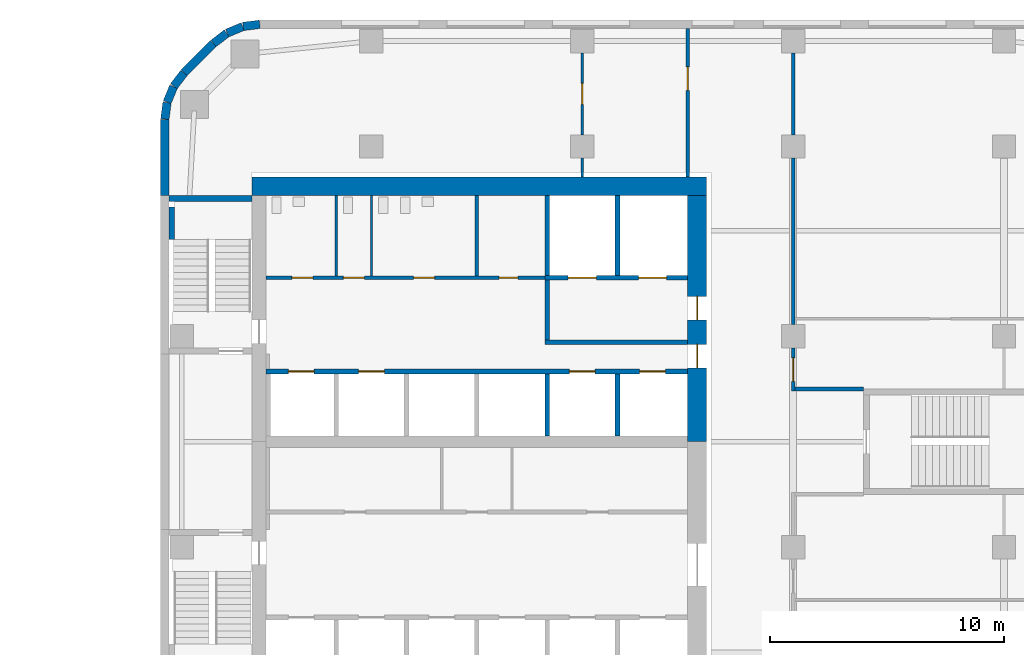
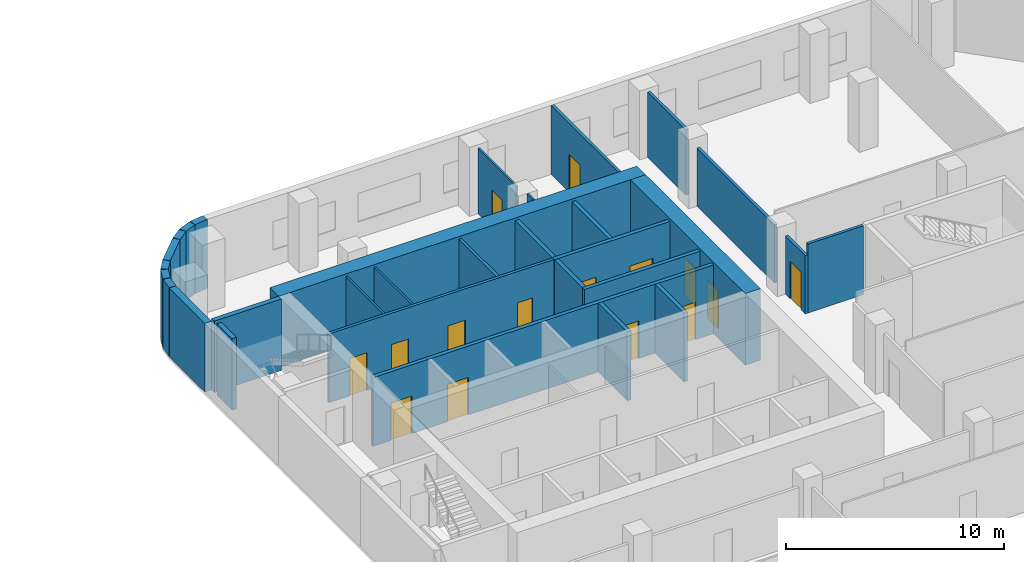
# One storey, part 10 of 15: 31 walls, 15 doors, 15 openings.
"""IFC4 building model written with IfcOpenShell, lengths in metres."""

from ifc_helpers import new_model, si_unit, direction, frame, frame_2d, origin, place, context, subcontext, project, spatial, rectangle, extrude, material, layer, layer_set, type_object, element, fill, save


model = new_model("IFC4")

# Units and contexts
model_context = context("Model", 3, precision=1e-05, world=origin(), true_north=direction((0.0, 1.0)))
body_context = subcontext(model_context, "Body", "Model", "MODEL_VIEW")
ifc_project = project(units=[si_unit("LENGTHUNIT", "METRE"), si_unit("AREAUNIT", "SQUARE_METRE"), si_unit("VOLUMEUNIT", "CUBIC_METRE"), si_unit("PLANEANGLEUNIT", "RADIAN"), si_unit("MASSUNIT", "GRAM", prefix="KILO")], contexts=[model_context])

# Site, building, storey
site_placement = place(None, origin())
site = spatial("IfcSite", under=ifc_project, at=site_placement, CompositionType="ELEMENT")
building_placement = place(site_placement, origin())
building = spatial("IfcBuilding", under=site, at=building_placement, Name="Cinnabar Reach Civic Tower", CompositionType="ELEMENT")
storey_placement = place(building_placement, frame((0.0, 0.0, 100.0)))
storey = spatial("IfcBuildingStorey", under=building, at=storey_placement, Name="L23", CompositionType="ELEMENT", Elevation=100.0)

# Walls
ifc_material_1 = material(Name="Facing brick with insulated backing", Category="masonry")
ifc_layer_1 = layer(ifc_material_1, 0.36)
ifc_layer_set_1 = layer_set([ifc_layer_1], Name="Brick corner wall")
wall_type_1 = type_object("IfcWallType", Name="Brick corner wall", PredefinedType="STANDARD", material=ifc_layer_set_1)
for number, where, z_axis, x_axis, name in (
    (1, (4.2314, 49.317, 0.0), (0.0, 0.0, 1.0), (-0.99144092581, -0.13055608231, 0.0), "Brick corner wall"),
    (2, (3.5027, 49.2181, 0.0), (0.0, 0.0, 1.0), (-0.923871547278, -0.382702709855, 0.0), "Brick corner wall"),
):
    element("IfcWall", number, at=place(storey_placement, frame(where, z_axis=z_axis, x_axis=x_axis)), inside=storey, type_object=wall_type_1, Name=name, PredefinedType="STANDARD", context=body_context, shape_type="SweptSolid", body=[
        extrude(rectangle(XDim=0.7131, YDim=0.36, at=frame_2d((0.3565, 0.0))), origin(), (0.0, 0.0, 1.0), 3.85),
    ])
for number, where, z_axis, x_axis, name in (
    (3, (2.8245, 48.934, 0.0), (0.0, 0.0, 1.0), (-0.793321924995, -0.608802368033, 0.0), "Brick corner wall"),
    (4, (1.0002, 47.2413, 0.0), (0.0, 0.0, 1.0), (-0.608802368033, -0.793321924995, 0.0), "Brick corner wall"),
):
    element("IfcWall", number, at=place(storey_placement, frame(where, z_axis=z_axis, x_axis=x_axis)), inside=storey, type_object=wall_type_1, Name=name, PredefinedType="STANDARD", context=body_context, shape_type="SweptSolid", body=[
        extrude(rectangle(XDim=0.7132, YDim=0.36, at=frame_2d((0.3566, 0.0))), origin(), (0.0, 0.0, 1.0), 3.85),
    ])
for number, where, z_axis, x_axis, name in (
    (5, (0.5548, 46.6561, 0.0), (0.0, 0.0, 1.0), (-0.382702709855, -0.923871547278, 0.0), "Brick corner wall"),
    (6, (0.2761, 45.9756, 0.0), (0.0, 0.0, 1.0), (-0.13055608231, -0.99144092581, 0.0), "Brick corner wall"),
):
    element("IfcWall", number, at=place(storey_placement, frame(where, z_axis=z_axis, x_axis=x_axis)), inside=storey, type_object=wall_type_1, Name=name, PredefinedType="STANDARD", context=body_context, shape_type="SweptSolid", body=[
        extrude(rectangle(XDim=0.7131, YDim=0.36, at=frame_2d((0.3565, 0.0))), origin(), (0.0, 0.0, 1.0), 3.85),
    ])
ifc_layer_2 = layer(ifc_material_1, 0.36)
ifc_layer_set_2 = layer_set([ifc_layer_2], Name="Brick pier and spandrel wall")
wall_type_2 = type_object("IfcWallType", Name="Brick pier and spandrel wall", PredefinedType="STANDARD", material=ifc_layer_set_2)
wall_1_placement = place(storey_placement, frame((2.2486, 48.494, 0.0), z_axis=(0.0, 0.0, 1.0), x_axis=(-0.707106781187, -0.707106781187, 0.0)))
element("IfcWall", 7, at=wall_1_placement, inside=storey, type_object=wall_type_2, Name="Brick facade wall", PredefinedType="STANDARD", context=body_context, shape_type="SweptSolid", body=[
    extrude(rectangle(XDim=1.7573, YDim=0.36, at=frame_2d((0.8787, 0.0))), origin(), (0.0, 0.0, 1.0), 3.85),
])
wall_2_placement = place(storey_placement, frame((0.18, 45.2574, 0.0), z_axis=(0.0, 0.0, 1.0), x_axis=(0.0, -1.0, 0.0)))
element("IfcWall", 8, at=wall_2_placement, inside=storey, type_object=wall_type_2, Name="Brick facade wall", PredefinedType="STANDARD", context=body_context, shape_type="SweptSolid", body=[
    extrude(rectangle(XDim=3.2574, YDim=0.36, at=frame_2d((1.6287, 0.0))), origin(), (0.0, 0.0, 1.0), 3.85),
])
ifc_material_2 = material(Name="Concrete C70", Category="concrete")
ifc_layer_3 = layer(ifc_material_2, 0.8)
ifc_layer_set_3 = layer_set([ifc_layer_3], Name="Core wall 800 EI 180")
wall_type_3 = type_object("IfcWallType", Name="Core wall 800 EI 180", PredefinedType="SOLIDWALL", material=ifc_layer_set_3)
wall_3_placement = place(storey_placement, frame((23.3, 42.4, 0.0), z_axis=(0.0, 0.0, 1.0), x_axis=(-1.0, 0.0, 0.0)))
element("IfcWall", 9, at=wall_3_placement, inside=storey, type_object=wall_type_3, Name="Core wall T1 L23 N", PredefinedType="SOLIDWALL", context=body_context, shape_type="SweptSolid", body=[
    extrude(rectangle(XDim=19.4, YDim=0.8, at=frame_2d((9.7, 0.0))), origin(), (0.0, 0.0, 1.0), 4.0),
])

# Wall, openings, doors
wall_4_placement = place(storey_placement, frame((22.9, 31.5, 0.0), z_axis=(0.0, 0.0, 1.0), x_axis=(0.0, 1.0, 0.0)))
wall_4 = element("IfcWall", 10, at=wall_4_placement, inside=storey, type_object=wall_type_3, Name="Core wall T1 L23 E2", PredefinedType="SOLIDWALL", context=body_context, shape_type="SweptSolid", body=[
    extrude(rectangle(XDim=10.5, YDim=0.8, at=frame_2d((5.25, 0.0))), origin(), (0.0, 0.0, 1.0), 4.0),
])
opening_1_placement = place(wall_4_placement, frame((3.15, 0.0, 0.0)))
opening_1 = element("IfcOpeningElement", 11, at=opening_1_placement, cuts=wall_4, Name="Opening D3934", PredefinedType="OPENING", context=body_context, shape_type="SweptSolid", body=[
    extrude(rectangle(XDim=1.0, YDim=2.1, at=frame_2d((0.5, 1.05))), frame((0.0, 0.41, 0.0), z_axis=(0.0, -1.0, 0.0), x_axis=(1.0, 0.0, 0.0)), (0.0, 0.0, 1.0), 0.82),
])
opening_2_placement = place(wall_4_placement, frame((5.2, 0.0, 0.0)))
opening_2 = element("IfcOpeningElement", 12, at=opening_2_placement, cuts=wall_4, Name="Opening D3935", PredefinedType="OPENING", context=body_context, shape_type="SweptSolid", body=[
    extrude(rectangle(XDim=1.0, YDim=2.1, at=frame_2d((0.5, 1.05))), frame((0.0, 0.41, 0.0), z_axis=(0.0, -1.0, 0.0), x_axis=(1.0, 0.0, 0.0)), (0.0, 0.0, 1.0), 0.82),
])
ifc_material_3 = material(Name="Timber door leaf in steel frame", Category="steel")
door_type_1 = type_object("IfcDoorType", Name="Firefighting lobby door 1000 x 2100 T1", OperationType="SINGLE_SWING_LEFT", PredefinedType="DOOR", material=ifc_material_3)
door_1_placement = place(opening_2_placement, origin())
door_1 = element("IfcDoor", 13, at=door_1_placement, inside=storey, type_object=door_type_1, Name="Door D3935", OperationType="SINGLE_SWING_LEFT", OverallHeight=2.1, OverallWidth=1.0, PredefinedType="DOOR", context=body_context, shape_type="SweptSolid", body=[
    extrude(rectangle(XDim=1.0, YDim=2.1, at=frame_2d((0.5, 1.05))), frame((0.0, 0.025, 0.0), z_axis=(0.0, -1.0, 0.0), x_axis=(1.0, 0.0, 0.0)), (0.0, 0.0, 1.0), 0.05),
])
fill(opening_2, door_1)
door_type_2 = type_object("IfcDoorType", Name="Single swing door 1000 x 2100 T1", OperationType="SINGLE_SWING_LEFT", PredefinedType="DOOR", material=ifc_material_3)
door_2_placement = place(opening_1_placement, origin())
door_2 = element("IfcDoor", 14, at=door_2_placement, inside=storey, type_object=door_type_2, Name="Door D3934", OperationType="SINGLE_SWING_RIGHT", OverallHeight=2.1, OverallWidth=1.0, PredefinedType="DOOR", context=body_context, shape_type="SweptSolid", body=[
    extrude(rectangle(XDim=1.0, YDim=2.1, at=frame_2d((0.5, 1.05))), frame((0.0, 0.025, 0.0), z_axis=(0.0, -1.0, 0.0), x_axis=(1.0, 0.0, 0.0)), (0.0, 0.0, 1.0), 0.05),
])
fill(opening_1, door_2)

# Wall, opening, door
ifc_material_4 = material(Name="Gypsum board on steel studs, double layer", Category="steel")
ifc_layer_4 = layer(ifc_material_4, 0.15)
ifc_layer_set_4 = layer_set([ifc_layer_4], Name="Corridor wall 150 T1")
wall_type_4 = type_object("IfcWallType", Name="Corridor wall 150 T1", PredefinedType="PARTITIONING", material=ifc_layer_set_4)
wall_5_placement = place(storey_placement, frame((27.0, 33.675, 0.0), z_axis=(0.0, 0.0, 1.0), x_axis=(0.0, 1.0, 0.0)))
wall_5 = element("IfcWall", 15, at=wall_5_placement, inside=storey, type_object=wall_type_4, Name="Corridor wall 27", PredefinedType="PARTITIONING", context=body_context, shape_type="SweptSolid", body=[
    extrude(rectangle(XDim=1.825, YDim=0.15, at=frame_2d((0.9125, 0.0))), origin(), (0.0, 0.0, 1.0), 3.256),
])
opening_3_placement = place(wall_5_placement, frame((0.4, 0.0, 0.0)))
opening_3 = element("IfcOpeningElement", 16, at=opening_3_placement, cuts=wall_5, Name="Opening D3944", PredefinedType="OPENING", context=body_context, shape_type="SweptSolid", body=[
    extrude(rectangle(XDim=1.0, YDim=2.1, at=frame_2d((0.5, 1.05))), frame((0.0, 0.085, 0.0), z_axis=(0.0, -1.0, 0.0), x_axis=(1.0, 0.0, 0.0)), (0.0, 0.0, 1.0), 0.17),
])
door_type_3 = type_object("IfcDoorType", Name="Tenancy entrance door 1000 x 2100 T1", OperationType="SINGLE_SWING_LEFT", PredefinedType="DOOR", material=ifc_material_3)
door_3_placement = place(opening_3_placement, frame((1.0, 0.0, 0.0), z_axis=(0.0, 0.0, 1.0), x_axis=(-1.0, 0.0, 0.0)))
door_3 = element("IfcDoor", 17, at=door_3_placement, inside=storey, type_object=door_type_3, Name="Door D3944", OperationType="SINGLE_SWING_RIGHT", OverallHeight=2.1, OverallWidth=1.0, PredefinedType="DOOR", context=body_context, shape_type="SweptSolid", body=[
    extrude(rectangle(XDim=1.0, YDim=2.1, at=frame_2d((0.5, 1.05))), frame((0.0, 0.025, 0.0), z_axis=(0.0, -1.0, 0.0), x_axis=(1.0, 0.0, 0.0)), (0.0, 0.0, 1.0), 0.05),
])
fill(opening_3, door_3)

# Walls
wall_6_placement = place(storey_placement, frame((27.0, 36.5, 0.0), z_axis=(0.0, 0.0, 1.0), x_axis=(0.0, 1.0, 0.0)))
element("IfcWall", 18, at=wall_6_placement, inside=storey, type_object=wall_type_4, Name="Corridor wall 28", PredefinedType="PARTITIONING", context=body_context, shape_type="SweptSolid", body=[
    extrude(rectangle(XDim=7.1, YDim=0.15, at=frame_2d((3.55, 0.0))), origin(), (0.0, 0.0, 1.0), 3.256),
])
wall_7_placement = place(storey_placement, frame((27.0, 44.6, 0.0), z_axis=(0.0, 0.0, 1.0), x_axis=(0.0, 1.0, 0.0)))
element("IfcWall", 19, at=wall_7_placement, inside=storey, type_object=wall_type_4, Name="Corridor wall 29", PredefinedType="PARTITIONING", context=body_context, shape_type="SweptSolid", body=[
    extrude(rectangle(XDim=3.5, YDim=0.15, at=frame_2d((1.75, 0.0))), origin(), (0.0, 0.0, 1.0), 3.652),
])

# Wall, openings, doors
wall_8_placement = place(storey_placement, frame((4.5, 38.5, 0.0), z_axis=(0.0, 0.0, 1.0), x_axis=(1.0, 0.0, 0.0)))
wall_8 = element("IfcWall", 20, at=wall_8_placement, inside=storey, type_object=wall_type_4, Name="Corridor wall 30", PredefinedType="PARTITIONING", context=body_context, shape_type="SweptSolid", body=[
    extrude(rectangle(XDim=11.9, YDim=0.15, at=frame_2d((5.95, 0.0))), origin(), (0.0, 0.0, 1.0), 3.85),
])
opening_4_placement = place(wall_8_placement, frame((1.1, 0.0, 0.0)))
opening_4 = element("IfcOpeningElement", 21, at=opening_4_placement, cuts=wall_8, Name="Opening D3940", PredefinedType="OPENING", context=body_context, shape_type="SweptSolid", body=[
    extrude(rectangle(XDim=0.9, YDim=2.1, at=frame_2d((0.45, 1.05))), frame((0.0, 0.085, 0.0), z_axis=(0.0, -1.0, 0.0), x_axis=(1.0, 0.0, 0.0)), (0.0, 0.0, 1.0), 0.17),
])
opening_5_placement = place(wall_8_placement, frame((3.3, 0.0, 0.0)))
opening_5 = element("IfcOpeningElement", 22, at=opening_5_placement, cuts=wall_8, Name="Opening D3941", PredefinedType="OPENING", context=body_context, shape_type="SweptSolid", body=[
    extrude(rectangle(XDim=0.9, YDim=2.1, at=frame_2d((0.45, 1.05))), frame((0.0, 0.085, 0.0), z_axis=(0.0, -1.0, 0.0), x_axis=(1.0, 0.0, 0.0)), (0.0, 0.0, 1.0), 0.17),
])
opening_6_placement = place(wall_8_placement, frame((6.3, 0.0, 0.0)))
opening_6 = element("IfcOpeningElement", 23, at=opening_6_placement, cuts=wall_8, Name="Opening D3942", PredefinedType="OPENING", context=body_context, shape_type="SweptSolid", body=[
    extrude(rectangle(XDim=0.9, YDim=2.1, at=frame_2d((0.45, 1.05))), frame((0.0, 0.085, 0.0), z_axis=(0.0, -1.0, 0.0), x_axis=(1.0, 0.0, 0.0)), (0.0, 0.0, 1.0), 0.17),
])
opening_7_placement = place(wall_8_placement, frame((9.95, 0.0, 0.0)))
opening_7 = element("IfcOpeningElement", 24, at=opening_7_placement, cuts=wall_8, Name="Opening D3943", PredefinedType="OPENING", context=body_context, shape_type="SweptSolid", body=[
    extrude(rectangle(XDim=0.8, YDim=2.1, at=frame_2d((0.4, 1.05))), frame((0.0, 0.085, 0.0), z_axis=(0.0, -1.0, 0.0), x_axis=(1.0, 0.0, 0.0)), (0.0, 0.0, 1.0), 0.17),
])
door_type_4 = type_object("IfcDoorType", Name="Riser access door 800 x 2100 T1", OperationType="SINGLE_SWING_LEFT", PredefinedType="DOOR", material=ifc_material_3)
door_4_placement = place(opening_7_placement, origin())
door_4 = element("IfcDoor", 25, at=door_4_placement, inside=storey, type_object=door_type_4, Name="Door D3943", OperationType="SINGLE_SWING_LEFT", OverallHeight=2.1, OverallWidth=0.8, PredefinedType="DOOR", context=body_context, shape_type="SweptSolid", body=[
    extrude(rectangle(XDim=0.8, YDim=2.1, at=frame_2d((0.4, 1.05))), frame((0.0, 0.025, 0.0), z_axis=(0.0, -1.0, 0.0), x_axis=(1.0, 0.0, 0.0)), (0.0, 0.0, 1.0), 0.05),
])
fill(opening_7, door_4)
door_type_5 = type_object("IfcDoorType", Name="Single swing door 900 x 2100 corridor T1", OperationType="SINGLE_SWING_LEFT", PredefinedType="DOOR", material=ifc_material_3)
door_5_placement = place(opening_4_placement, origin())
door_5 = element("IfcDoor", 26, at=door_5_placement, inside=storey, type_object=door_type_5, Name="Door D3940", OperationType="SINGLE_SWING_LEFT", OverallHeight=2.1, OverallWidth=0.9, PredefinedType="DOOR", context=body_context, shape_type="SweptSolid", body=[
    extrude(rectangle(XDim=0.9, YDim=2.1, at=frame_2d((0.45, 1.05))), frame((0.0, 0.025, 0.0), z_axis=(0.0, -1.0, 0.0), x_axis=(1.0, 0.0, 0.0)), (0.0, 0.0, 1.0), 0.05),
])
fill(opening_4, door_5)
door_6_placement = place(opening_5_placement, origin())
door_6 = element("IfcDoor", 27, at=door_6_placement, inside=storey, type_object=door_type_5, Name="Door D3941", OperationType="SINGLE_SWING_LEFT", OverallHeight=2.1, OverallWidth=0.9, PredefinedType="DOOR", context=body_context, shape_type="SweptSolid", body=[
    extrude(rectangle(XDim=0.9, YDim=2.1, at=frame_2d((0.45, 1.05))), frame((0.0, 0.025, 0.0), z_axis=(0.0, -1.0, 0.0), x_axis=(1.0, 0.0, 0.0)), (0.0, 0.0, 1.0), 0.05),
])
fill(opening_5, door_6)
door_7_placement = place(opening_6_placement, origin())
door_7 = element("IfcDoor", 28, at=door_7_placement, inside=storey, type_object=door_type_5, Name="Door D3942", OperationType="SINGLE_SWING_RIGHT", OverallHeight=2.1, OverallWidth=0.9, PredefinedType="DOOR", context=body_context, shape_type="SweptSolid", body=[
    extrude(rectangle(XDim=0.9, YDim=2.1, at=frame_2d((0.45, 1.05))), frame((0.0, 0.025, 0.0), z_axis=(0.0, -1.0, 0.0), x_axis=(1.0, 0.0, 0.0)), (0.0, 0.0, 1.0), 0.05),
])
fill(opening_6, door_7)

# Wall, opening, door
wall_9_placement = place(storey_placement, frame((22.5, 42.8, 0.0), z_axis=(0.0, 0.0, 1.0), x_axis=(0.0, 1.0, 0.0)))
wall_9 = element("IfcWall", 29, at=wall_9_placement, inside=storey, type_object=wall_type_4, Name="Corridor wall 33", PredefinedType="PARTITIONING", context=body_context, shape_type="SweptSolid", body=[
    extrude(rectangle(XDim=6.34, YDim=0.15, at=frame_2d((3.17, 0.0))), origin(), (0.0, 0.0, 1.0), 3.85),
])
opening_8_placement = place(wall_9_placement, frame((3.7, 0.0, 0.0)))
opening_8 = element("IfcOpeningElement", 30, at=opening_8_placement, cuts=wall_9, Name="Opening D3959", PredefinedType="OPENING", context=body_context, shape_type="SweptSolid", body=[
    extrude(rectangle(XDim=1.0, YDim=2.1, at=frame_2d((0.5, 1.05))), frame((0.0, 0.085, 0.0), z_axis=(0.0, -1.0, 0.0), x_axis=(1.0, 0.0, 0.0)), (0.0, 0.0, 1.0), 0.17),
])
door_8_placement = place(opening_8_placement, origin())
door_8 = element("IfcDoor", 31, at=door_8_placement, inside=storey, type_object=door_type_3, Name="Door D3959", OperationType="SINGLE_SWING_LEFT", OverallHeight=2.1, OverallWidth=1.0, PredefinedType="DOOR", context=body_context, shape_type="SweptSolid", body=[
    extrude(rectangle(XDim=1.0, YDim=2.1, at=frame_2d((0.5, 1.05))), frame((0.0, 0.025, 0.0), z_axis=(0.0, -1.0, 0.0), x_axis=(1.0, 0.0, 0.0)), (0.0, 0.0, 1.0), 0.05),
])
fill(opening_8, door_8)

# Wall
wall_10_placement = place(storey_placement, frame((27.075, 33.75, 0.0), z_axis=(0.0, 0.0, 1.0), x_axis=(1.0, 0.0, 0.0)))
element("IfcWall", 32, at=wall_10_placement, inside=storey, type_object=wall_type_4, Name="Corridor wall 37", PredefinedType="PARTITIONING", context=body_context, shape_type="SweptSolid", body=[
    extrude(rectangle(XDim=2.925, YDim=0.15, at=frame_2d((1.4625, 0.0))), origin(), (0.0, 0.0, 1.0), 3.85),
])

# Wall, openings, doors
ifc_material_5 = material(Name="Blockwork", Category="masonry")
ifc_layer_5 = layer(ifc_material_5, 0.2)
ifc_layer_set_5 = layer_set([ifc_layer_5], Name="Lift shaft wall 200 T1")
wall_type_5 = type_object("IfcWallType", Name="Lift shaft wall 200 T1", PredefinedType="PARTITIONING", material=ifc_layer_set_5)
wall_11_placement = place(storey_placement, frame((4.5, 34.5, 0.0), z_axis=(0.0, 0.0, 1.0), x_axis=(1.0, 0.0, 0.0)))
wall_11 = element("IfcWall", 33, at=wall_11_placement, inside=storey, type_object=wall_type_5, Name="Lift shaft wall 5", PredefinedType="PARTITIONING", context=body_context, shape_type="SweptSolid", body=[
    extrude(rectangle(XDim=18.0, YDim=0.2, at=frame_2d((9.0, 0.0))), origin(), (0.0, 0.0, 1.0), 3.85),
])
opening_9_placement = place(wall_11_placement, frame((0.95, 0.0, 0.0)))
opening_9 = element("IfcOpeningElement", 34, at=opening_9_placement, cuts=wall_11, Name="Opening D3927", PredefinedType="OPENING", context=body_context, shape_type="SweptSolid", body=[
    extrude(rectangle(XDim=1.1, YDim=2.1, at=frame_2d((0.55, 1.05))), frame((0.0, 0.11, 0.0), z_axis=(0.0, -1.0, 0.0), x_axis=(1.0, 0.0, 0.0)), (0.0, 0.0, 1.0), 0.22),
])
opening_10_placement = place(wall_11_placement, frame((3.95, 0.0, 0.0)))
opening_10 = element("IfcOpeningElement", 35, at=opening_10_placement, cuts=wall_11, Name="Opening D3928", PredefinedType="OPENING", context=body_context, shape_type="SweptSolid", body=[
    extrude(rectangle(XDim=1.1, YDim=2.1, at=frame_2d((0.55, 1.05))), frame((0.0, 0.11, 0.0), z_axis=(0.0, -1.0, 0.0), x_axis=(1.0, 0.0, 0.0)), (0.0, 0.0, 1.0), 0.22),
])
opening_11_placement = place(wall_11_placement, frame((12.95, 0.0, 0.0)))
opening_11 = element("IfcOpeningElement", 36, at=opening_11_placement, cuts=wall_11, Name="Opening D3929", PredefinedType="OPENING", context=body_context, shape_type="SweptSolid", body=[
    extrude(rectangle(XDim=1.1, YDim=2.1, at=frame_2d((0.55, 1.05))), frame((0.0, 0.11, 0.0), z_axis=(0.0, -1.0, 0.0), x_axis=(1.0, 0.0, 0.0)), (0.0, 0.0, 1.0), 0.22),
])
opening_12_placement = place(wall_11_placement, frame((15.95, 0.0, 0.0)))
opening_12 = element("IfcOpeningElement", 37, at=opening_12_placement, cuts=wall_11, Name="Opening D3930", PredefinedType="OPENING", context=body_context, shape_type="SweptSolid", body=[
    extrude(rectangle(XDim=1.1, YDim=2.1, at=frame_2d((0.55, 1.05))), frame((0.0, 0.11, 0.0), z_axis=(0.0, -1.0, 0.0), x_axis=(1.0, 0.0, 0.0)), (0.0, 0.0, 1.0), 0.22),
])
ifc_material_6 = material(Name="Stainless steel sliding door", Category="steel")
door_type_6 = type_object("IfcDoorType", Name="Lift landing door 1100 x 2100 T1", OperationType="SLIDING_TO_LEFT", PredefinedType="DOOR", material=ifc_material_6)
door_9_placement = place(opening_9_placement, origin())
door_9 = element("IfcDoor", 38, at=door_9_placement, inside=storey, type_object=door_type_6, Name="Lift landing door SH1 L23", OperationType="SLIDING_TO_LEFT", OverallHeight=2.1, OverallWidth=1.1, PredefinedType="DOOR", context=body_context, shape_type="SweptSolid", body=[
    extrude(rectangle(XDim=1.1, YDim=2.1, at=frame_2d((0.55, 1.05))), frame((0.0, 0.025, 0.0), z_axis=(0.0, -1.0, 0.0), x_axis=(1.0, 0.0, 0.0)), (0.0, 0.0, 1.0), 0.05),
])
fill(opening_9, door_9)
door_10_placement = place(opening_10_placement, origin())
door_10 = element("IfcDoor", 39, at=door_10_placement, inside=storey, type_object=door_type_6, Name="Lift landing door SH2 L23", OperationType="SLIDING_TO_LEFT", OverallHeight=2.1, OverallWidth=1.1, PredefinedType="DOOR", context=body_context, shape_type="SweptSolid", body=[
    extrude(rectangle(XDim=1.1, YDim=2.1, at=frame_2d((0.55, 1.05))), frame((0.0, 0.025, 0.0), z_axis=(0.0, -1.0, 0.0), x_axis=(1.0, 0.0, 0.0)), (0.0, 0.0, 1.0), 0.05),
])
fill(opening_10, door_10)
door_11_placement = place(opening_11_placement, origin())
door_11 = element("IfcDoor", 40, at=door_11_placement, inside=storey, type_object=door_type_6, Name="Lift landing door SV1 L23", OperationType="SLIDING_TO_LEFT", OverallHeight=2.1, OverallWidth=1.1, PredefinedType="DOOR", context=body_context, shape_type="SweptSolid", body=[
    extrude(rectangle(XDim=1.1, YDim=2.1, at=frame_2d((0.55, 1.05))), frame((0.0, 0.025, 0.0), z_axis=(0.0, -1.0, 0.0), x_axis=(1.0, 0.0, 0.0)), (0.0, 0.0, 1.0), 0.05),
])
fill(opening_11, door_11)
door_12_placement = place(opening_12_placement, origin())
door_12 = element("IfcDoor", 41, at=door_12_placement, inside=storey, type_object=door_type_6, Name="Lift landing door SV2 L23", OperationType="SLIDING_TO_LEFT", OverallHeight=2.1, OverallWidth=1.1, PredefinedType="DOOR", context=body_context, shape_type="SweptSolid", body=[
    extrude(rectangle(XDim=1.1, YDim=2.1, at=frame_2d((0.55, 1.05))), frame((0.0, 0.025, 0.0), z_axis=(0.0, -1.0, 0.0), x_axis=(1.0, 0.0, 0.0)), (0.0, 0.0, 1.0), 0.05),
])
fill(opening_12, door_12)

# Walls
for number, where, z_axis, x_axis, name in (
    (42, (16.5, 38.6, 0.0), (0.0, 0.0, 1.0), (0.0, 1.0, 0.0), "Lift shaft wall 6"),
    (43, (19.5, 38.6, 0.0), (0.0, 0.0, 1.0), (0.0, 1.0, 0.0), "Lift shaft wall 7"),
):
    element("IfcWall", number, at=place(storey_placement, frame(where, z_axis=z_axis, x_axis=x_axis)), inside=storey, type_object=wall_type_5, Name=name, PredefinedType="PARTITIONING", context=body_context, shape_type="SweptSolid", body=[
        extrude(rectangle(XDim=3.4, YDim=0.2, at=frame_2d((1.7, 0.0))), origin(), (0.0, 0.0, 1.0), 3.85),
    ])
for number, where, z_axis, x_axis, name in (
    (44, (16.5, 31.75, 0.0), (0.0, 0.0, 1.0), (0.0, 1.0, 0.0), "Lift shaft wall 16"),
    (45, (19.5, 31.75, 0.0), (0.0, 0.0, 1.0), (0.0, 1.0, 0.0), "Lift shaft wall 18"),
):
    element("IfcWall", number, at=place(storey_placement, frame(where, z_axis=z_axis, x_axis=x_axis)), inside=storey, type_object=wall_type_5, Name=name, PredefinedType="PARTITIONING", context=body_context, shape_type="SweptSolid", body=[
        extrude(rectangle(XDim=2.65, YDim=0.2, at=frame_2d((1.325, 0.0))), origin(), (0.0, 0.0, 1.0), 3.85),
    ])
ifc_material_7 = material(Name="Gypsum board on steel studs", Category="steel")
ifc_layer_6 = layer(ifc_material_7, 0.1)
ifc_layer_set_6 = layer_set([ifc_layer_6], Name="Partition wall 100 T1")
wall_type_6 = type_object("IfcWallType", Name="Partition wall 100 T1", PredefinedType="PARTITIONING", material=ifc_layer_set_6)
wall_12_placement = place(storey_placement, frame((18.0, 42.8, 0.0), z_axis=(0.0, 0.0, 1.0), x_axis=(0.0, 1.0, 0.0)))
element("IfcWall", 46, at=wall_12_placement, inside=storey, type_object=wall_type_6, Name="Partition wall 55", PredefinedType="PARTITIONING", context=body_context, shape_type="SweptSolid", body=[
    extrude(rectangle(XDim=0.8, YDim=0.1, at=frame_2d((0.4, 0.0))), origin(), (0.0, 0.0, 1.0), 3.85),
])

# Wall, opening, door
wall_13_placement = place(storey_placement, frame((18.0, 44.6, 0.0), z_axis=(0.0, 0.0, 1.0), x_axis=(0.0, 1.0, 0.0)))
wall_13 = element("IfcWall", 47, at=wall_13_placement, inside=storey, type_object=wall_type_6, Name="Partition wall 56", PredefinedType="PARTITIONING", context=body_context, shape_type="SweptSolid", body=[
    extrude(rectangle(XDim=3.5, YDim=0.1, at=frame_2d((1.75, 0.0))), origin(), (0.0, 0.0, 1.0), 3.652),
])
opening_13_placement = place(wall_13_placement, frame((1.3, 0.0, 0.0)))
opening_13 = element("IfcOpeningElement", 48, at=opening_13_placement, cuts=wall_13, Name="Opening D3960", PredefinedType="OPENING", context=body_context, shape_type="SweptSolid", body=[
    extrude(rectangle(XDim=0.9, YDim=2.1, at=frame_2d((0.45, 1.05))), frame((0.0, 0.06, 0.0), z_axis=(0.0, -1.0, 0.0), x_axis=(1.0, 0.0, 0.0)), (0.0, 0.0, 1.0), 0.12),
])
door_type_7 = type_object("IfcDoorType", Name="Single swing door 900 x 2100 T1", OperationType="SINGLE_SWING_LEFT", PredefinedType="DOOR", material=ifc_material_3)
door_13_placement = place(opening_13_placement, frame((0.9, 0.0, 0.0), z_axis=(0.0, 0.0, 1.0), x_axis=(-1.0, 0.0, 0.0)))
door_13 = element("IfcDoor", 49, at=door_13_placement, inside=storey, type_object=door_type_7, Name="Door D3960", OperationType="SINGLE_SWING_RIGHT", OverallHeight=2.1, OverallWidth=0.9, PredefinedType="DOOR", context=body_context, shape_type="SweptSolid", body=[
    extrude(rectangle(XDim=0.9, YDim=2.1, at=frame_2d((0.45, 1.05))), frame((0.0, 0.025, 0.0), z_axis=(0.0, -1.0, 0.0), x_axis=(1.0, 0.0, 0.0)), (0.0, 0.0, 1.0), 0.05),
])
fill(opening_13, door_13)

# Walls
for number, where, z_axis, x_axis, name in (
    (50, (7.5, 38.575, 0.0), (0.0, 0.0, 1.0), (0.0, 1.0, 0.0), "Partition wall 57"),
    (51, (9.0, 38.575, 0.0), (0.0, 0.0, 1.0), (0.0, 1.0, 0.0), "Partition wall 58"),
):
    element("IfcWall", number, at=place(storey_placement, frame(where, z_axis=z_axis, x_axis=x_axis)), inside=storey, type_object=wall_type_6, Name=name, PredefinedType="PARTITIONING", context=body_context, shape_type="SweptSolid", body=[
        extrude(rectangle(XDim=3.425, YDim=0.1, at=frame_2d((1.7125, 0.0))), origin(), (0.0, 0.0, 1.0), 3.85),
    ])
ifc_material_8 = material(Name="Concrete C40", Category="concrete")
ifc_layer_7 = layer(ifc_material_8, 0.2)
ifc_layer_set_7 = layer_set([ifc_layer_7], Name="Refuge compartment wall 200 T1")
wall_type_7 = type_object("IfcWallType", Name="Refuge compartment wall 200 T1", PredefinedType="PARTITIONING", material=ifc_layer_set_7)
wall_14_placement = place(storey_placement, frame((16.4, 35.75, 0.0), z_axis=(0.0, 0.0, 1.0), x_axis=(1.0, 0.0, 0.0)))
element("IfcWall", 52, at=wall_14_placement, inside=storey, type_object=wall_type_7, Name="Refuge compartment wall 1", PredefinedType="PARTITIONING", context=body_context, shape_type="SweptSolid", body=[
    extrude(rectangle(XDim=6.1, YDim=0.2, at=frame_2d((3.05, 0.0))), origin(), (0.0, 0.0, 1.0), 3.85),
])

# Wall, openings, doors
wall_15_placement = place(storey_placement, frame((16.4, 38.5, 0.0), z_axis=(0.0, 0.0, 1.0), x_axis=(1.0, 0.0, 0.0)))
wall_15 = element("IfcWall", 53, at=wall_15_placement, inside=storey, type_object=wall_type_7, Name="Refuge compartment wall 2", PredefinedType="PARTITIONING", context=body_context, shape_type="SweptSolid", body=[
    extrude(rectangle(XDim=6.1, YDim=0.2, at=frame_2d((3.05, 0.0))), origin(), (0.0, 0.0, 1.0), 3.85),
])
opening_14_placement = place(wall_15_placement, frame((1.0, 0.0, 0.0)))
opening_14 = element("IfcOpeningElement", 54, at=opening_14_placement, cuts=wall_15, Name="Opening D3931", PredefinedType="OPENING", context=body_context, shape_type="SweptSolid", body=[
    extrude(rectangle(XDim=1.2, YDim=2.1, at=frame_2d((0.6, 1.05))), frame((0.0, 0.11, 0.0), z_axis=(0.0, -1.0, 0.0), x_axis=(1.0, 0.0, 0.0)), (0.0, 0.0, 1.0), 0.22),
])
opening_15_placement = place(wall_15_placement, frame((4.0, 0.0, 0.0)))
opening_15 = element("IfcOpeningElement", 55, at=opening_15_placement, cuts=wall_15, Name="Opening D3932", PredefinedType="OPENING", context=body_context, shape_type="SweptSolid", body=[
    extrude(rectangle(XDim=1.2, YDim=2.1, at=frame_2d((0.6, 1.05))), frame((0.0, 0.11, 0.0), z_axis=(0.0, -1.0, 0.0), x_axis=(1.0, 0.0, 0.0)), (0.0, 0.0, 1.0), 0.22),
])
door_type_8 = type_object("IfcDoorType", Name="Firefighting lift landing door 1200 x 2100 T1", OperationType="SLIDING_TO_LEFT", PredefinedType="DOOR", material=ifc_material_6)
door_14_placement = place(opening_14_placement, origin())
door_14 = element("IfcDoor", 56, at=door_14_placement, inside=storey, type_object=door_type_8, Name="Lift landing door FF1 L23", OperationType="SLIDING_TO_LEFT", OverallHeight=2.1, OverallWidth=1.2, PredefinedType="DOOR", context=body_context, shape_type="SweptSolid", body=[
    extrude(rectangle(XDim=1.2, YDim=2.1, at=frame_2d((0.6, 1.05))), frame((0.0, 0.025, 0.0), z_axis=(0.0, -1.0, 0.0), x_axis=(1.0, 0.0, 0.0)), (0.0, 0.0, 1.0), 0.05),
])
fill(opening_14, door_14)
door_15_placement = place(opening_15_placement, origin())
door_15 = element("IfcDoor", 57, at=door_15_placement, inside=storey, type_object=door_type_8, Name="Lift landing door FF2 L23", OperationType="SLIDING_TO_LEFT", OverallHeight=2.1, OverallWidth=1.2, PredefinedType="DOOR", context=body_context, shape_type="SweptSolid", body=[
    extrude(rectangle(XDim=1.2, YDim=2.1, at=frame_2d((0.6, 1.05))), frame((0.0, 0.025, 0.0), z_axis=(0.0, -1.0, 0.0), x_axis=(1.0, 0.0, 0.0)), (0.0, 0.0, 1.0), 0.05),
])
fill(opening_15, door_15)

# Walls
wall_16_placement = place(storey_placement, frame((16.5, 35.85, 0.0), z_axis=(0.0, 0.0, 1.0), x_axis=(0.0, 1.0, 0.0)))
element("IfcWall", 58, at=wall_16_placement, inside=storey, type_object=wall_type_7, Name="Refuge compartment wall 3", PredefinedType="PARTITIONING", context=body_context, shape_type="SweptSolid", body=[
    extrude(rectangle(XDim=2.55, YDim=0.2, at=frame_2d((1.275, 0.0))), origin(), (0.0, 0.0, 1.0), 3.85),
])
ifc_layer_8 = layer(ifc_material_5, 0.15)
ifc_layer_set_8 = layer_set([ifc_layer_8], Name="Riser wall 150 T1")
wall_type_8 = type_object("IfcWallType", Name="Riser wall 150 T1", PredefinedType="PARTITIONING", material=ifc_layer_set_8)
wall_17_placement = place(storey_placement, frame((13.5, 38.575, 0.0), z_axis=(0.0, 0.0, 1.0), x_axis=(0.0, 1.0, 0.0)))
element("IfcWall", 59, at=wall_17_placement, inside=storey, type_object=wall_type_8, Name="Riser wall 39", PredefinedType="PARTITIONING", context=body_context, shape_type="SweptSolid", body=[
    extrude(rectangle(XDim=3.425, YDim=0.15, at=frame_2d((1.7125, 0.0))), origin(), (0.0, 0.0, 1.0), 3.85),
])
ifc_material_9 = material(Name="Concrete C60", Category="concrete")
ifc_layer_9 = layer(ifc_material_9, 0.25)
ifc_layer_set_9 = layer_set([ifc_layer_9], Name="Stair shaft wall 250 EI 120")
wall_type_9 = type_object("IfcWallType", Name="Stair shaft wall 250 EI 120", PredefinedType="SOLIDWALL", material=ifc_layer_set_9)
wall_18_placement = place(storey_placement, frame((3.9, 41.875, 0.0), z_axis=(0.0, 0.0, 1.0), x_axis=(-1.0, 0.0, 0.0)))
element("IfcWall", 60, at=wall_18_placement, inside=storey, type_object=wall_type_9, Name="Stair shaft wall T1-S2 L23", PredefinedType="SOLIDWALL", context=body_context, shape_type="SweptSolid", body=[
    extrude(rectangle(XDim=3.54, YDim=0.25, at=frame_2d((1.77, 0.0))), origin(), (0.0, 0.0, 1.0), 4.0),
])
ifc_material_10 = material(Name="Concrete C40/50", Category="concrete")
ifc_layer_10 = layer(ifc_material_10, 0.24)
ifc_layer_set_10 = layer_set([ifc_layer_10], Name="T1 landing bearer wall 240")
wall_type_10 = type_object("IfcWallType", Name="T1 landing bearer wall 240", PredefinedType="STANDARD", material=ifc_layer_set_10)
wall_19_placement = place(storey_placement, frame((0.48, 40.13, 0.0), z_axis=(0.0, 0.0, 1.0), x_axis=(0.0, 1.0, 0.0)))
element("IfcWall", 61, at=wall_19_placement, inside=storey, type_object=wall_type_10, Name="T1-S2 landing bearer wall", PredefinedType="STANDARD", context=body_context, shape_type="SweptSolid", body=[
    extrude(rectangle(XDim=1.3802, YDim=0.24, at=frame_2d((0.6901, 0.0))), origin(), (0.0, 0.0, 1.0), 4.0),
])

save(model, "model.ifc")
